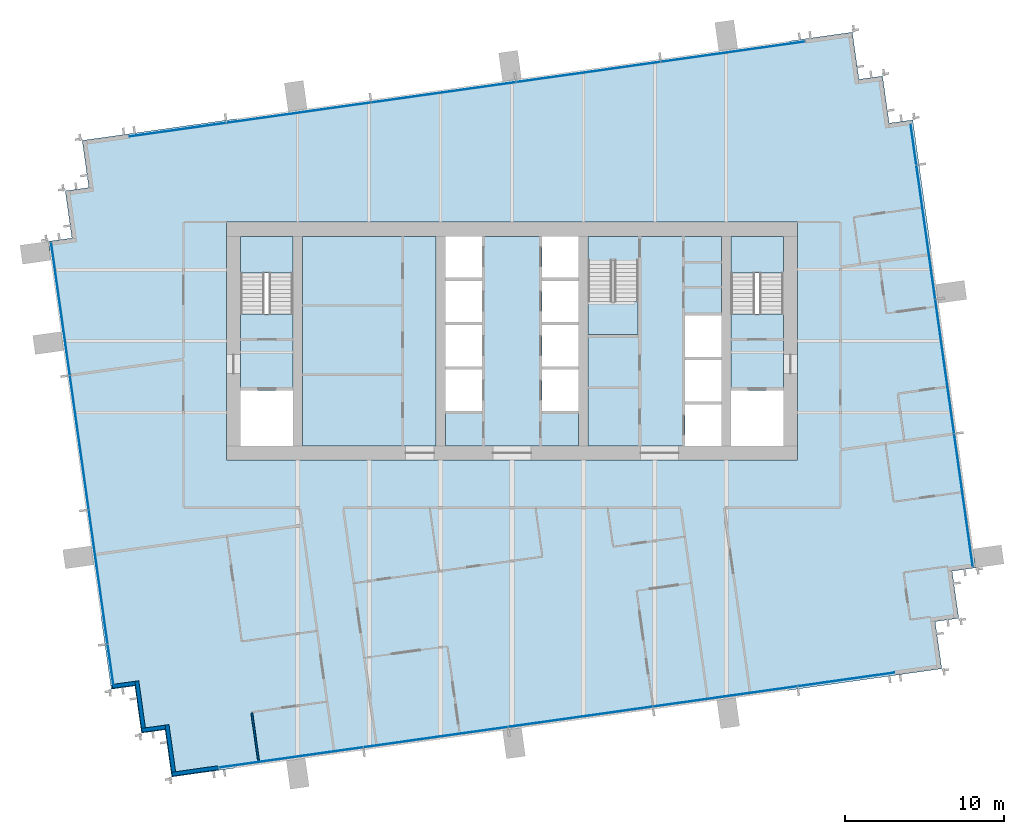
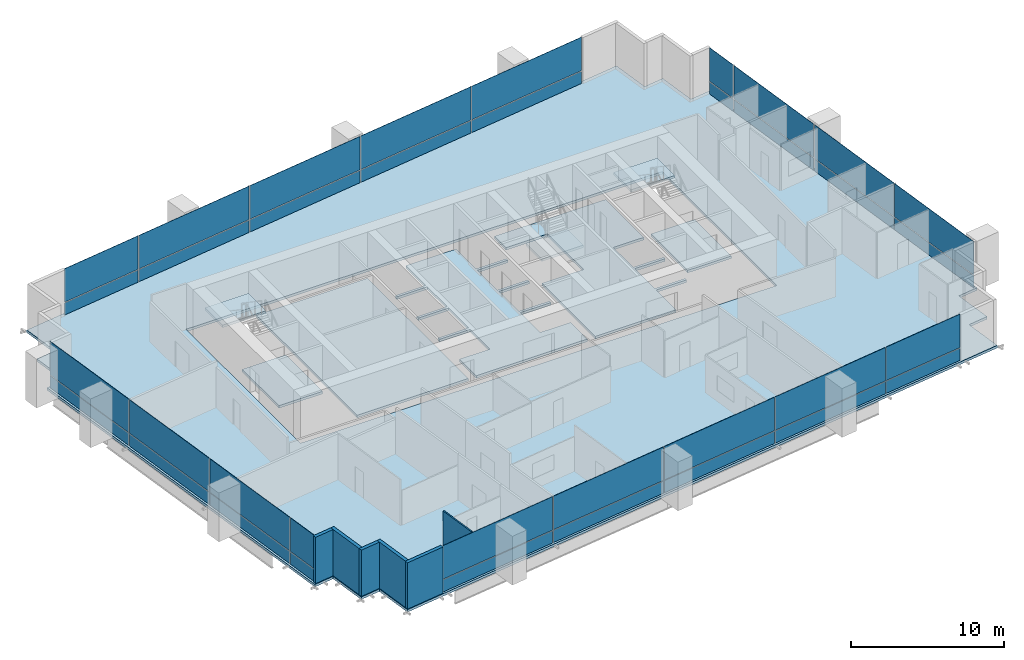
# One storey, part 8 of 14: 36 plates, 9 slabs, 6 walls, 7 elements without a shape of their own.
"""IFC4 building model written with IfcOpenShell, lengths in metres."""

from ifc_helpers import new_model, si_unit, direction, frame, frame_2d, origin, origin_2d, place, context, subcontext, project, spatial, polyline, rectangle, outline, extrude, material, layer, layer_set, type_object, element, aggregate, save


model = new_model("IFC4")

# Units and contexts
model_context = context("Model", 3, precision=1e-05, world=origin(), true_north=direction((0.0, 1.0)))
body_context = subcontext(model_context, "Body", "Model", "MODEL_VIEW")
ifc_project = project(units=[si_unit("LENGTHUNIT", "METRE"), si_unit("AREAUNIT", "SQUARE_METRE"), si_unit("VOLUMEUNIT", "CUBIC_METRE"), si_unit("PLANEANGLEUNIT", "RADIAN"), si_unit("MASSUNIT", "GRAM", prefix="KILO")], contexts=[model_context])

# Site, building, storey
site_placement = place(None, origin())
site = spatial("IfcSite", under=ifc_project, at=site_placement, CompositionType="ELEMENT")
building_placement = place(site_placement, origin())
building = spatial("IfcBuilding", under=site, at=building_placement, Name="Rattan Terrace Tower", CompositionType="ELEMENT")
storey_placement = place(building_placement, frame((0.0, 0.0, 184.10009765625)))
storey = spatial("IfcBuildingStorey", under=building, at=storey_placement, Name="L42", CompositionType="ELEMENT", Elevation=184.10009765625)

# Stair, slab
ifc_material_1 = material(Name="Concrete C40/50", Category="concrete")
stair_type = type_object("IfcStairType", Name="Core exit stair 1500", PredefinedType="HALF_TURN_STAIR", material=ifc_material_1)
stair_1_placement = place(storey_placement, origin())
stair_1 = element("IfcStair", 1, at=stair_1_placement, inside=storey, type_object=stair_type, Name="L42 exit stair 1", PredefinedType="HALF_TURN_STAIR")
ifc_material_2 = material(Name="Concrete C40/50", Category="concrete")
ifc_layer_1 = layer(ifc_material_2, 0.199951171875)
ifc_layer_set_1 = layer_set([ifc_layer_1], Name="Core exit stair landing")
slab_type_1 = type_object("IfcSlabType", Name="Core exit stair landing", PredefinedType="LANDING", material=ifc_layer_set_1)
slab_1_placement = place(storey_placement, frame((0.0, 0.0, 1.75)))
slab_1 = element("IfcSlab", 2, at=slab_1_placement, type_object=slab_type_1, Name="S1 landing 1", PredefinedType="LANDING", context=body_context, shape_type="SweptSolid", body=[
    extrude(outline(polyline([(-13.800048828125, 4.300048828125), (-13.800048828125, 6.60009765625), (-17.10009765625, 6.60009765625), (-17.10009765625, 4.300048828125), (-13.800048828125, 4.300048828125)])), origin(), (0.0, 0.0, 1.0), 0.199951171875),
])
aggregate(stair_1, [slab_1])

stair_2_placement = place(storey_placement, origin())
stair_2 = element("IfcStair", 3, at=stair_2_placement, inside=storey, type_object=stair_type, Name="L42 exit stair 2", PredefinedType="HALF_TURN_STAIR")
slab_2_placement = place(storey_placement, frame((0.0, 0.0, 1.75)))
slab_2 = element("IfcSlab", 4, at=slab_2_placement, type_object=slab_type_1, Name="S2 landing 1", PredefinedType="LANDING", context=body_context, shape_type="SweptSolid", body=[
    extrude(outline(polyline([(17.10009765625, 4.300048828125), (17.10009765625, 6.60009765625), (13.800048828125, 6.60009765625), (13.800048828125, 4.300048828125), (17.10009765625, 4.300048828125)])), origin(), (0.0, 0.0, 1.0), 0.199951171875),
])
aggregate(stair_2, [slab_2])

stair_3_placement = place(storey_placement, origin())
stair_3 = element("IfcStair", 5, at=stair_3_placement, inside=storey, type_object=stair_type, Name="L42 exit stair 3", PredefinedType="HALF_TURN_STAIR")
slab_3_placement = place(storey_placement, frame((0.0, 0.0, 1.75)))
slab_3 = element("IfcSlab", 6, at=slab_3_placement, type_object=slab_type_1, Name="S3 landing 1", PredefinedType="LANDING", context=body_context, shape_type="SweptSolid", body=[
    extrude(outline(polyline([(4.800048828125, 2.5), (4.800048828125, 0.39990234375), (7.949951171875, 0.39990234375), (7.949951171875, 2.5), (4.800048828125, 2.5)])), origin(), (0.0, 0.0, 1.0), 0.199951171875),
])
aggregate(stair_3, [slab_3])

# Curtain wall, plates
ifc_material_3 = material(Name="Aluminium and glass", Category="aluminium")
curtain_wall_type = type_object("IfcCurtainWallType", Name="Facade Unitised Curtain Wall", PredefinedType="NOTDEFINED", material=ifc_material_3)
curtain_wall_1_placement = place(storey_placement, origin())
curtain_wall_1 = element("IfcCurtainWall", 7, at=curtain_wall_1_placement, inside=storey, type_object=curtain_wall_type, Name="Curtain wall L42-1", PredefinedType="NOTDEFINED")
ifc_material_4 = material(Name="Aluminium insulated spandrel panel", Category="aluminium")
ifc_layer_2 = layer(ifc_material_4, 0.028076171875)
ifc_layer_set_2 = layer_set([ifc_layer_2], Name="Facade CW Spandrel Panel")
plate_type_1 = type_object("IfcPlateType", Name="Facade CW Spandrel Panel", PredefinedType="CURTAIN_PANEL", material=ifc_layer_set_2)
plate_1_placement = place(storey_placement, frame((28.447509765625, -10.037109375, 0.0), z_axis=(0.0, 0.0, 1.0), x_axis=(-0.139190856006, 0.99026557327, 0.0)))
plate_1 = element("IfcPlate", 8, at=plate_1_placement, type_object=plate_type_1, Name="Panel cwl-L42-001.1.1", PredefinedType="CURTAIN_PANEL", context=body_context, shape_type="SweptSolid", body=[
    extrude(rectangle(XDim=8.4150390625, YDim=0.028076171875, at=origin_2d()), origin(), (0.0, 0.0, 1.0), 0.969970703125),
])
plate_2_placement = place(storey_placement, frame((27.262451171875, -1.607421875, 0.0), z_axis=(0.0, 0.0, 1.0), x_axis=(-0.139190856006, 0.99026557327, 0.0)))
plate_2 = element("IfcPlate", 9, at=plate_2_placement, type_object=plate_type_1, Name="Panel cwl-L42-001.2.1", PredefinedType="CURTAIN_PANEL", context=body_context, shape_type="SweptSolid", body=[
    extrude(rectangle(XDim=8.489990234375, YDim=0.028076171875, at=origin_2d()), origin(), (0.0, 0.0, 1.0), 0.969970703125),
])
plate_3_placement = place(storey_placement, frame((26.072509765625, 6.859375, 0.0), z_axis=(0.0, 0.0, 1.0), x_axis=(-0.139190856006, 0.99026557327, 0.0)))
plate_3 = element("IfcPlate", 10, at=plate_3_placement, type_object=plate_type_1, Name="Panel cwl-L42-001.3.1", PredefinedType="CURTAIN_PANEL", context=body_context, shape_type="SweptSolid", body=[
    extrude(rectangle(XDim=8.489990234375, YDim=0.028076171875, at=origin_2d()), origin(), (0.0, 0.0, 1.0), 0.969970703125),
])
plate_4_placement = place(storey_placement, frame((25.29736328125, 12.372802734375, 0.0), z_axis=(0.0, 0.0, 1.0), x_axis=(-0.139190856006, 0.99026557327, 0.0)))
plate_4 = element("IfcPlate", 11, at=plate_4_placement, type_object=plate_type_1, Name="Panel cwl-L42-001.4.1", PredefinedType="CURTAIN_PANEL", context=body_context, shape_type="SweptSolid", body=[
    extrude(rectangle(XDim=2.525390625, YDim=0.028076171875, at=origin_2d()), origin(), (0.0, 0.0, 1.0), 0.969970703125),
])

curtain_wall_2_placement = place(storey_placement, origin())
curtain_wall_2 = element("IfcCurtainWall", 12, at=curtain_wall_2_placement, inside=storey, type_object=curtain_wall_type, Name="Curtain wall L42-2", PredefinedType="NOTDEFINED")
plate_5_placement = place(storey_placement, frame((13.920166015625, 18.233642578125, 0.0), z_axis=(0.0, 0.0, 1.0), x_axis=(-0.990269702686, -0.139161474347, 0.0)))
plate_5 = element("IfcPlate", 13, at=plate_5_placement, type_object=plate_type_1, Name="Panel cwl-L42-002.1.1", PredefinedType="CURTAIN_PANEL", context=body_context, shape_type="SweptSolid", body=[
    extrude(rectangle(XDim=9.123046875, YDim=0.028076171875, at=origin_2d()), origin(), (0.0, 0.0, 1.0), 0.969970703125),
])
plate_6_placement = place(storey_placement, frame((4.8115234375, 16.95361328125, 0.0), z_axis=(0.0, 0.0, 1.0), x_axis=(-0.990269702686, -0.139161474347, 0.0)))
plate_6 = element("IfcPlate", 14, at=plate_6_placement, type_object=plate_type_1, Name="Panel cwl-L42-002.2.1", PredefinedType="CURTAIN_PANEL", context=body_context, shape_type="SweptSolid", body=[
    extrude(rectangle(XDim=9.153076171875, YDim=0.028076171875, at=origin_2d()), origin(), (0.0, 0.0, 1.0), 0.969970703125),
])
plate_7_placement = place(storey_placement, frame((-4.311767578125, 15.67138671875, 0.0), z_axis=(0.0, 0.0, 1.0), x_axis=(-0.990269702686, -0.139161474347, 0.0)))
plate_7 = element("IfcPlate", 15, at=plate_7_placement, type_object=plate_type_1, Name="Panel cwl-L42-002.3.1", PredefinedType="CURTAIN_PANEL", context=body_context, shape_type="SweptSolid", body=[
    extrude(rectangle(XDim=9.153076171875, YDim=0.028076171875, at=origin_2d()), origin(), (0.0, 0.0, 1.0), 0.969970703125),
])
plate_8_placement = place(storey_placement, frame((-13.43505859375, 14.389404296875, 0.0), z_axis=(0.0, 0.0, 1.0), x_axis=(-0.990269702686, -0.139161474347, 0.0)))
plate_8 = element("IfcPlate", 16, at=plate_8_placement, type_object=plate_type_1, Name="Panel cwl-L42-002.4.1", PredefinedType="CURTAIN_PANEL", context=body_context, shape_type="SweptSolid", body=[
    extrude(rectangle(XDim=9.153076171875, YDim=0.028076171875, at=origin_2d()), origin(), (0.0, 0.0, 1.0), 0.969970703125),
])
plate_9_placement = place(storey_placement, frame((-21.055908203125, 13.318359375, 0.0), z_axis=(0.0, 0.0, 1.0), x_axis=(-0.990269702686, -0.139161474347, 0.0)))
plate_9 = element("IfcPlate", 17, at=plate_9_placement, type_object=plate_type_1, Name="Panel cwl-L42-002.5.1", PredefinedType="CURTAIN_PANEL", context=body_context, shape_type="SweptSolid", body=[
    extrude(rectangle(XDim=6.118408203125, YDim=0.028076171875, at=origin_2d()), origin(), (0.0, 0.0, 1.0), 0.969970703125),
])

curtain_wall_3_placement = place(storey_placement, origin())
curtain_wall_3 = element("IfcCurtainWall", 18, at=curtain_wall_3_placement, inside=storey, type_object=curtain_wall_type, Name="Curtain wall L42-3", PredefinedType="NOTDEFINED")
plate_10_placement = place(storey_placement, frame((-28.447509765625, 2.037109375, 0.0), z_axis=(0.0, 0.0, 1.0), x_axis=(0.139190856006, -0.99026557327, 0.0)))
plate_10 = element("IfcPlate", 19, at=plate_10_placement, type_object=plate_type_1, Name="Panel cwl-L42-003.1.1", PredefinedType="CURTAIN_PANEL", context=body_context, shape_type="SweptSolid", body=[
    extrude(rectangle(XDim=8.4150390625, YDim=0.028076171875, at=origin_2d()), origin(), (0.0, 0.0, 1.0), 0.969970703125),
])
plate_11_placement = place(storey_placement, frame((-27.262451171875, -6.392578125, 0.0), z_axis=(0.0, 0.0, 1.0), x_axis=(0.139190856006, -0.99026557327, 0.0)))
plate_11 = element("IfcPlate", 20, at=plate_11_placement, type_object=plate_type_1, Name="Panel cwl-L42-003.2.1", PredefinedType="CURTAIN_PANEL", context=body_context, shape_type="SweptSolid", body=[
    extrude(rectangle(XDim=8.489990234375, YDim=0.028076171875, at=origin_2d()), origin(), (0.0, 0.0, 1.0), 0.969970703125),
])
plate_12_placement = place(storey_placement, frame((-26.072509765625, -14.859375, 0.0), z_axis=(0.0, 0.0, 1.0), x_axis=(0.139190856006, -0.99026557327, 0.0)))
plate_12 = element("IfcPlate", 21, at=plate_12_placement, type_object=plate_type_1, Name="Panel cwl-L42-003.3.1", PredefinedType="CURTAIN_PANEL", context=body_context, shape_type="SweptSolid", body=[
    extrude(rectangle(XDim=8.489990234375, YDim=0.028076171875, at=origin_2d()), origin(), (0.0, 0.0, 1.0), 0.969970703125),
])
plate_13_placement = place(storey_placement, frame((-25.29736328125, -20.372802734375, 0.0), z_axis=(0.0, 0.0, 1.0), x_axis=(0.139190856006, -0.99026557327, 0.0)))
plate_13 = element("IfcPlate", 22, at=plate_13_placement, type_object=plate_type_1, Name="Panel cwl-L42-003.4.1", PredefinedType="CURTAIN_PANEL", context=body_context, shape_type="SweptSolid", body=[
    extrude(rectangle(XDim=2.525390625, YDim=0.028076171875, at=origin_2d()), origin(), (0.0, 0.0, 1.0), 0.969970703125),
])

curtain_wall_4_placement = place(storey_placement, origin())
curtain_wall_4 = element("IfcCurtainWall", 23, at=curtain_wall_4_placement, inside=storey, type_object=curtain_wall_type, Name="Curtain wall L42-4", PredefinedType="NOTDEFINED")
plate_14_placement = place(storey_placement, frame((-13.920166015625, -26.233642578125, 0.0), z_axis=(0.0, 0.0, 1.0), x_axis=(0.990269702686, 0.139161474347, 0.0)))
plate_14 = element("IfcPlate", 24, at=plate_14_placement, type_object=plate_type_1, Name="Panel cwl-L42-004.1.1", PredefinedType="CURTAIN_PANEL", context=body_context, shape_type="SweptSolid", body=[
    extrude(rectangle(XDim=9.123046875, YDim=0.028076171875, at=origin_2d()), origin(), (0.0, 0.0, 1.0), 0.969970703125),
])
plate_15_placement = place(storey_placement, frame((-4.8115234375, -24.95361328125, 0.0), z_axis=(0.0, 0.0, 1.0), x_axis=(0.990269702686, 0.139161474347, 0.0)))
plate_15 = element("IfcPlate", 25, at=plate_15_placement, type_object=plate_type_1, Name="Panel cwl-L42-004.2.1", PredefinedType="CURTAIN_PANEL", context=body_context, shape_type="SweptSolid", body=[
    extrude(rectangle(XDim=9.153076171875, YDim=0.028076171875, at=origin_2d()), origin(), (0.0, 0.0, 1.0), 0.969970703125),
])
plate_16_placement = place(storey_placement, frame((4.311767578125, -23.67138671875, 0.0), z_axis=(0.0, 0.0, 1.0), x_axis=(0.990269702686, 0.139161474347, 0.0)))
plate_16 = element("IfcPlate", 26, at=plate_16_placement, type_object=plate_type_1, Name="Panel cwl-L42-004.3.1", PredefinedType="CURTAIN_PANEL", context=body_context, shape_type="SweptSolid", body=[
    extrude(rectangle(XDim=9.153076171875, YDim=0.028076171875, at=origin_2d()), origin(), (0.0, 0.0, 1.0), 0.969970703125),
])
plate_17_placement = place(storey_placement, frame((13.43505859375, -22.389404296875, 0.0), z_axis=(0.0, 0.0, 1.0), x_axis=(0.990269702686, 0.139161474347, 0.0)))
plate_17 = element("IfcPlate", 27, at=plate_17_placement, type_object=plate_type_1, Name="Panel cwl-L42-004.4.1", PredefinedType="CURTAIN_PANEL", context=body_context, shape_type="SweptSolid", body=[
    extrude(rectangle(XDim=9.153076171875, YDim=0.028076171875, at=origin_2d()), origin(), (0.0, 0.0, 1.0), 0.969970703125),
])
plate_18_placement = place(storey_placement, frame((21.055908203125, -21.318359375, 0.0), z_axis=(0.0, 0.0, 1.0), x_axis=(0.990269702686, 0.139161474347, 0.0)))
plate_18 = element("IfcPlate", 28, at=plate_18_placement, type_object=plate_type_1, Name="Panel cwl-L42-004.5.1", PredefinedType="CURTAIN_PANEL", context=body_context, shape_type="SweptSolid", body=[
    extrude(rectangle(XDim=6.118408203125, YDim=0.028076171875, at=origin_2d()), origin(), (0.0, 0.0, 1.0), 0.969970703125),
])

# Plate
ifc_material_5 = material(Name="Clear low-iron glass", Category="glass")
ifc_layer_3 = layer(ifc_material_5, 0.028076171875)
ifc_layer_set_3 = layer_set([ifc_layer_3], Name="Facade CW Vision Panel")
plate_type_2 = type_object("IfcPlateType", Name="Facade CW Vision Panel", PredefinedType="CURTAIN_PANEL", material=ifc_layer_set_3)
plate_19_placement = place(storey_placement, frame((28.447509765625, -10.037109375, 1.030029296875), z_axis=(0.0, 0.0, 1.0), x_axis=(-0.139190856006, 0.99026557327, 0.0)))
plate_19 = element("IfcPlate", 29, at=plate_19_placement, type_object=plate_type_2, Name="Panel cwl-L42-001.1.2", PredefinedType="CURTAIN_PANEL", context=body_context, shape_type="SweptSolid", body=[
    extrude(rectangle(XDim=8.4150390625, YDim=0.028076171875, at=origin_2d()), origin(), (0.0, 0.0, 1.0), 2.669921875),
])

plate_20_placement = place(storey_placement, frame((27.262451171875, -1.607421875, 1.030029296875), z_axis=(0.0, 0.0, 1.0), x_axis=(-0.139190856006, 0.99026557327, 0.0)))
plate_20 = element("IfcPlate", 30, at=plate_20_placement, type_object=plate_type_2, Name="Panel cwl-L42-001.2.2", PredefinedType="CURTAIN_PANEL", context=body_context, shape_type="SweptSolid", body=[
    extrude(rectangle(XDim=8.489990234375, YDim=0.028076171875, at=origin_2d()), origin(), (0.0, 0.0, 1.0), 2.669921875),
])

plate_21_placement = place(storey_placement, frame((26.072509765625, 6.859375, 1.030029296875), z_axis=(0.0, 0.0, 1.0), x_axis=(-0.139190856006, 0.99026557327, 0.0)))
plate_21 = element("IfcPlate", 31, at=plate_21_placement, type_object=plate_type_2, Name="Panel cwl-L42-001.3.2", PredefinedType="CURTAIN_PANEL", context=body_context, shape_type="SweptSolid", body=[
    extrude(rectangle(XDim=8.489990234375, YDim=0.028076171875, at=origin_2d()), origin(), (0.0, 0.0, 1.0), 2.669921875),
])

plate_22_placement = place(storey_placement, frame((25.29736328125, 12.372802734375, 1.030029296875), z_axis=(0.0, 0.0, 1.0), x_axis=(-0.139190856006, 0.99026557327, 0.0)))
plate_22 = element("IfcPlate", 32, at=plate_22_placement, type_object=plate_type_2, Name="Panel cwl-L42-001.4.2", PredefinedType="CURTAIN_PANEL", context=body_context, shape_type="SweptSolid", body=[
    extrude(rectangle(XDim=2.525390625, YDim=0.028076171875, at=origin_2d()), origin(), (0.0, 0.0, 1.0), 2.669921875),
])

aggregate(curtain_wall_1, [plate_1, plate_19, plate_2, plate_20, plate_3, plate_21, plate_4, plate_22])

plate_23_placement = place(storey_placement, frame((13.920166015625, 18.233642578125, 1.030029296875), z_axis=(0.0, 0.0, 1.0), x_axis=(-0.990269702686, -0.139161474347, 0.0)))
plate_23 = element("IfcPlate", 33, at=plate_23_placement, type_object=plate_type_2, Name="Panel cwl-L42-002.1.2", PredefinedType="CURTAIN_PANEL", context=body_context, shape_type="SweptSolid", body=[
    extrude(rectangle(XDim=9.123046875, YDim=0.028076171875, at=origin_2d()), origin(), (0.0, 0.0, 1.0), 2.669921875),
])

plate_24_placement = place(storey_placement, frame((4.8115234375, 16.95361328125, 1.030029296875), z_axis=(0.0, 0.0, 1.0), x_axis=(-0.990269702686, -0.139161474347, 0.0)))
plate_24 = element("IfcPlate", 34, at=plate_24_placement, type_object=plate_type_2, Name="Panel cwl-L42-002.2.2", PredefinedType="CURTAIN_PANEL", context=body_context, shape_type="SweptSolid", body=[
    extrude(rectangle(XDim=9.153076171875, YDim=0.028076171875, at=origin_2d()), origin(), (0.0, 0.0, 1.0), 2.669921875),
])

plate_25_placement = place(storey_placement, frame((-4.311767578125, 15.67138671875, 1.030029296875), z_axis=(0.0, 0.0, 1.0), x_axis=(-0.990269702686, -0.139161474347, 0.0)))
plate_25 = element("IfcPlate", 35, at=plate_25_placement, type_object=plate_type_2, Name="Panel cwl-L42-002.3.2", PredefinedType="CURTAIN_PANEL", context=body_context, shape_type="SweptSolid", body=[
    extrude(rectangle(XDim=9.153076171875, YDim=0.028076171875, at=origin_2d()), origin(), (0.0, 0.0, 1.0), 2.669921875),
])

plate_26_placement = place(storey_placement, frame((-13.43505859375, 14.389404296875, 1.030029296875), z_axis=(0.0, 0.0, 1.0), x_axis=(-0.990269702686, -0.139161474347, 0.0)))
plate_26 = element("IfcPlate", 36, at=plate_26_placement, type_object=plate_type_2, Name="Panel cwl-L42-002.4.2", PredefinedType="CURTAIN_PANEL", context=body_context, shape_type="SweptSolid", body=[
    extrude(rectangle(XDim=9.153076171875, YDim=0.028076171875, at=origin_2d()), origin(), (0.0, 0.0, 1.0), 2.669921875),
])

plate_27_placement = place(storey_placement, frame((-21.055908203125, 13.318359375, 1.030029296875), z_axis=(0.0, 0.0, 1.0), x_axis=(-0.990269702686, -0.139161474347, 0.0)))
plate_27 = element("IfcPlate", 37, at=plate_27_placement, type_object=plate_type_2, Name="Panel cwl-L42-002.5.2", PredefinedType="CURTAIN_PANEL", context=body_context, shape_type="SweptSolid", body=[
    extrude(rectangle(XDim=6.118408203125, YDim=0.028076171875, at=origin_2d()), origin(), (0.0, 0.0, 1.0), 2.669921875),
])

aggregate(curtain_wall_2, [plate_5, plate_23, plate_6, plate_24, plate_7, plate_25, plate_8, plate_26, plate_9, plate_27])

plate_28_placement = place(storey_placement, frame((-28.447509765625, 2.037109375, 1.030029296875), z_axis=(0.0, 0.0, 1.0), x_axis=(0.139190856006, -0.99026557327, 0.0)))
plate_28 = element("IfcPlate", 38, at=plate_28_placement, type_object=plate_type_2, Name="Panel cwl-L42-003.1.2", PredefinedType="CURTAIN_PANEL", context=body_context, shape_type="SweptSolid", body=[
    extrude(rectangle(XDim=8.4150390625, YDim=0.028076171875, at=origin_2d()), origin(), (0.0, 0.0, 1.0), 2.669921875),
])

plate_29_placement = place(storey_placement, frame((-27.262451171875, -6.392578125, 1.030029296875), z_axis=(0.0, 0.0, 1.0), x_axis=(0.139190856006, -0.99026557327, 0.0)))
plate_29 = element("IfcPlate", 39, at=plate_29_placement, type_object=plate_type_2, Name="Panel cwl-L42-003.2.2", PredefinedType="CURTAIN_PANEL", context=body_context, shape_type="SweptSolid", body=[
    extrude(rectangle(XDim=8.489990234375, YDim=0.028076171875, at=origin_2d()), origin(), (0.0, 0.0, 1.0), 2.669921875),
])

plate_30_placement = place(storey_placement, frame((-26.072509765625, -14.859375, 1.030029296875), z_axis=(0.0, 0.0, 1.0), x_axis=(0.139190856006, -0.99026557327, 0.0)))
plate_30 = element("IfcPlate", 40, at=plate_30_placement, type_object=plate_type_2, Name="Panel cwl-L42-003.3.2", PredefinedType="CURTAIN_PANEL", context=body_context, shape_type="SweptSolid", body=[
    extrude(rectangle(XDim=8.489990234375, YDim=0.028076171875, at=origin_2d()), origin(), (0.0, 0.0, 1.0), 2.669921875),
])

plate_31_placement = place(storey_placement, frame((-25.29736328125, -20.372802734375, 1.030029296875), z_axis=(0.0, 0.0, 1.0), x_axis=(0.139190856006, -0.99026557327, 0.0)))
plate_31 = element("IfcPlate", 41, at=plate_31_placement, type_object=plate_type_2, Name="Panel cwl-L42-003.4.2", PredefinedType="CURTAIN_PANEL", context=body_context, shape_type="SweptSolid", body=[
    extrude(rectangle(XDim=2.525390625, YDim=0.028076171875, at=origin_2d()), origin(), (0.0, 0.0, 1.0), 2.669921875),
])

aggregate(curtain_wall_3, [plate_10, plate_28, plate_11, plate_29, plate_12, plate_30, plate_13, plate_31])

plate_32_placement = place(storey_placement, frame((-13.920166015625, -26.233642578125, 1.030029296875), z_axis=(0.0, 0.0, 1.0), x_axis=(0.990269702686, 0.139161474347, 0.0)))
plate_32 = element("IfcPlate", 42, at=plate_32_placement, type_object=plate_type_2, Name="Panel cwl-L42-004.1.2", PredefinedType="CURTAIN_PANEL", context=body_context, shape_type="SweptSolid", body=[
    extrude(rectangle(XDim=9.123046875, YDim=0.028076171875, at=origin_2d()), origin(), (0.0, 0.0, 1.0), 2.669921875),
])

plate_33_placement = place(storey_placement, frame((-4.8115234375, -24.95361328125, 1.030029296875), z_axis=(0.0, 0.0, 1.0), x_axis=(0.990269702686, 0.139161474347, 0.0)))
plate_33 = element("IfcPlate", 43, at=plate_33_placement, type_object=plate_type_2, Name="Panel cwl-L42-004.2.2", PredefinedType="CURTAIN_PANEL", context=body_context, shape_type="SweptSolid", body=[
    extrude(rectangle(XDim=9.153076171875, YDim=0.028076171875, at=origin_2d()), origin(), (0.0, 0.0, 1.0), 2.669921875),
])

plate_34_placement = place(storey_placement, frame((4.311767578125, -23.67138671875, 1.030029296875), z_axis=(0.0, 0.0, 1.0), x_axis=(0.990269702686, 0.139161474347, 0.0)))
plate_34 = element("IfcPlate", 44, at=plate_34_placement, type_object=plate_type_2, Name="Panel cwl-L42-004.3.2", PredefinedType="CURTAIN_PANEL", context=body_context, shape_type="SweptSolid", body=[
    extrude(rectangle(XDim=9.153076171875, YDim=0.028076171875, at=origin_2d()), origin(), (0.0, 0.0, 1.0), 2.669921875),
])

plate_35_placement = place(storey_placement, frame((13.43505859375, -22.389404296875, 1.030029296875), z_axis=(0.0, 0.0, 1.0), x_axis=(0.990269702686, 0.139161474347, 0.0)))
plate_35 = element("IfcPlate", 45, at=plate_35_placement, type_object=plate_type_2, Name="Panel cwl-L42-004.4.2", PredefinedType="CURTAIN_PANEL", context=body_context, shape_type="SweptSolid", body=[
    extrude(rectangle(XDim=9.153076171875, YDim=0.028076171875, at=origin_2d()), origin(), (0.0, 0.0, 1.0), 2.669921875),
])

plate_36_placement = place(storey_placement, frame((21.055908203125, -21.318359375, 1.030029296875), z_axis=(0.0, 0.0, 1.0), x_axis=(0.990269702686, 0.139161474347, 0.0)))
plate_36 = element("IfcPlate", 46, at=plate_36_placement, type_object=plate_type_2, Name="Panel cwl-L42-004.5.2", PredefinedType="CURTAIN_PANEL", context=body_context, shape_type="SweptSolid", body=[
    extrude(rectangle(XDim=6.118408203125, YDim=0.028076171875, at=origin_2d()), origin(), (0.0, 0.0, 1.0), 2.669921875),
])

aggregate(curtain_wall_4, [plate_14, plate_32, plate_15, plate_33, plate_16, plate_34, plate_17, plate_35, plate_18, plate_36])

# Slabs
ifc_material_6 = material(Name="Concrete C35/45", Category="concrete")
ifc_layer_4 = layer(ifc_material_6, 0.199951171875)
ifc_layer_set_4 = layer_set([ifc_layer_4], Name="Frame composite floor slab 200")
slab_type_2 = type_object("IfcSlabType", Name="Frame composite floor slab 200", PredefinedType="FLOOR", material=ifc_layer_set_4)
slab_4_placement = place(storey_placement, frame((0.0, 0.0, -0.2001953125)))
element("IfcSlab", 47, at=slab_4_placement, inside=storey, type_object=slab_type_2, Name="Floor slab", PredefinedType="FLOOR", context=body_context, shape_type="SweptSolid", body=[
    extrude(outline(polyline([(-18.472900390625, -27.044921875), (24.10888671875, -21.06103515625), (27.080078125, -20.64306640625), (26.662109375, -17.672119140625), (28.14794921875, -17.464111328125), (27.72998046875, -14.492919921875), (29.216064453125, -14.283935546875), (25.2490234375, 13.93896484375), (23.763916015625, 13.72998046875), (23.345947265625, 16.700927734375), (21.861083984375, 16.491943359375), (21.443115234375, 19.462890625), (18.472900390625, 19.044921875), (-24.10888671875, 13.06103515625), (-27.080078125, 12.64306640625), (-26.662109375, 9.672119140625), (-28.14794921875, 9.464111328125), (-27.72998046875, 6.492919921875), (-29.216064453125, 6.283935546875), (-25.2490234375, -21.93896484375), (-23.763916015625, -21.72998046875), (-23.345947265625, -24.700927734375), (-21.861083984375, -24.491943359375), (-21.443115234375, -27.462890625), (-18.472900390625, -27.044921875)]), holes=[polyline([(-18.0, -7.5), (18.0, -7.5), (18.0, -6.60009765625), (18.0, 6.60009765625), (18.0, 7.5), (-18.0, 7.5), (-18.0, 6.60009765625), (-18.0, -6.60009765625), (-18.0, -7.5)])]), origin(), (0.0, 0.0, 1.0), 0.2001953125),
])
slab_5_placement = place(storey_placement, frame((0.0, 0.0, -0.2001953125)))
element("IfcSlab", 48, at=slab_5_placement, inside=storey, type_object=slab_type_2, Name="Floor slab", PredefinedType="FLOOR", context=body_context, shape_type="SweptSolid", body=[
    extrude(outline(polyline([(13.199951171875, 6.60009765625), (4.800048828125, 6.60009765625), (4.800048828125, 5.090087890625), (7.949951171875, 5.090087890625), (7.949951171875, 0.39990234375), (4.800048828125, 0.39990234375), (4.800048828125, -6.60009765625), (10.89990234375, -6.60009765625), (10.89990234375, -4.0), (13.199951171875, -4.0), (13.199951171875, -3.800048828125), (10.89990234375, -3.800048828125), (10.89990234375, -1.199951171875), (13.199951171875, -1.199951171875), (13.199951171875, -1.0), (10.89990234375, -1.0), (10.89990234375, 1.60009765625), (13.199951171875, 1.60009765625), (13.199951171875, 6.60009765625)])), origin(), (0.0, 0.0, 1.0), 0.2001953125),
])
slab_6_placement = place(storey_placement, frame((0.0, 0.0, -0.2001953125)))
element("IfcSlab", 49, at=slab_6_placement, inside=storey, type_object=slab_type_2, Name="Floor slab", PredefinedType="FLOOR", context=body_context, shape_type="SweptSolid", body=[
    extrude(outline(polyline([(1.89990234375, 6.60009765625), (-1.89990234375, 6.60009765625), (-1.89990234375, 4.0), (-4.199951171875, 4.0), (-4.199951171875, 3.800048828125), (-1.89990234375, 3.800048828125), (-1.89990234375, 1.199951171875), (-4.199951171875, 1.199951171875), (-4.199951171875, 1.0), (-1.89990234375, 1.0), (-1.89990234375, -1.60009765625), (-4.199951171875, -1.60009765625), (-4.199951171875, -1.800048828125), (-1.89990234375, -1.800048828125), (-1.89990234375, -4.39990234375), (-4.199951171875, -4.39990234375), (-4.199951171875, -6.60009765625), (4.199951171875, -6.60009765625), (4.199951171875, -4.39990234375), (1.89990234375, -4.39990234375), (1.89990234375, -1.800048828125), (4.199951171875, -1.800048828125), (4.199951171875, -1.60009765625), (1.89990234375, -1.60009765625), (1.89990234375, 1.0), (4.199951171875, 1.0), (4.199951171875, 1.199951171875), (1.89990234375, 1.199951171875), (1.89990234375, 3.800048828125), (4.199951171875, 3.800048828125), (4.199951171875, 4.0), (1.89990234375, 4.0), (1.89990234375, 6.60009765625)])), origin(), (0.0, 0.0, 1.0), 0.2001953125),
])
slab_7_placement = place(storey_placement, frame((0.0, 0.0, -0.2001953125)))
element("IfcSlab", 50, at=slab_7_placement, inside=storey, type_object=slab_type_2, Name="Floor slab", PredefinedType="FLOOR", context=body_context, shape_type="SweptSolid", body=[
    extrude(outline(polyline([(-17.10009765625, -3.10009765625), (-13.800048828125, -3.10009765625), (-13.800048828125, 1.7099609375), (-17.10009765625, 1.7099609375), (-17.10009765625, -3.10009765625)])), origin(), (0.0, 0.0, 1.0), 0.2001953125),
])
slab_8_placement = place(storey_placement, frame((0.0, 0.0, -0.2001953125)))
element("IfcSlab", 51, at=slab_8_placement, inside=storey, type_object=slab_type_2, Name="Floor slab", PredefinedType="FLOOR", context=body_context, shape_type="SweptSolid", body=[
    extrude(outline(polyline([(-4.800048828125, -6.60009765625), (-4.800048828125, 6.60009765625), (-13.199951171875, 6.60009765625), (-13.199951171875, -6.60009765625), (-4.800048828125, -6.60009765625)])), origin(), (0.0, 0.0, 1.0), 0.2001953125),
])
slab_9_placement = place(storey_placement, frame((0.0, 0.0, -0.2001953125)))
element("IfcSlab", 52, at=slab_9_placement, inside=storey, type_object=slab_type_2, Name="Floor slab", PredefinedType="FLOOR", context=body_context, shape_type="SweptSolid", body=[
    extrude(outline(polyline([(13.800048828125, -3.10009765625), (17.10009765625, -3.10009765625), (17.10009765625, 1.7099609375), (13.800048828125, 1.7099609375), (13.800048828125, -3.10009765625)])), origin(), (0.0, 0.0, 1.0), 0.2001953125),
])

# Walls
ifc_material_7 = material(Name="Insulated aluminium-clad stud wall", Category="aluminium")
ifc_layer_5 = layer(ifc_material_7, 0.25)
ifc_layer_set_5 = layer_set([ifc_layer_5], Name="Facade Riser Wall 250")
wall_type_1 = type_object("IfcWallType", Name="Facade Riser Wall 250", PredefinedType="SOLIDWALL", material=ifc_layer_set_5)
wall_1_placement = place(storey_placement, frame((-25.18359375, -21.758056640625, 0.0), z_axis=(0.0, 0.0, 1.0), x_axis=(0.9902493448, 0.13930626376, 0.0)))
element("IfcWall", 53, at=wall_1_placement, inside=storey, type_object=wall_type_1, Name="Riser wall L42-16", PredefinedType="SOLIDWALL", context=body_context, shape_type="SweptSolid", body=[
    extrude(rectangle(XDim=1.45458984375, YDim=0.25, at=frame_2d((0.727294921875, 0.0))), origin(), (0.0, 0.0, 1.0), 3.699951171875),
])
wall_2_placement = place(storey_placement, frame((-23.63671875, -21.414306640625, 0.0), z_axis=(0.0, 0.0, 1.0), x_axis=(0.139313431826, -0.990248336385, 0.0)))
element("IfcWall", 54, at=wall_2_placement, inside=storey, type_object=wall_type_1, Name="Riser wall L42-17", PredefinedType="SOLIDWALL", context=body_context, shape_type="SweptSolid", body=[
    extrude(rectangle(XDim=3.000244140625, YDim=0.25, at=frame_2d((1.5, 0.0))), origin(), (0.0, 0.0, 1.0), 3.699951171875),
])
wall_3_placement = place(storey_placement, frame((-23.3251953125, -24.5263671875, 0.0), z_axis=(0.0, 0.0, 1.0), x_axis=(0.990243596651, 0.13934711799, 0.0)))
element("IfcWall", 55, at=wall_3_placement, inside=storey, type_object=wall_type_1, Name="Riser wall L42-18", PredefinedType="SOLIDWALL", context=body_context, shape_type="SweptSolid", body=[
    extrude(rectangle(XDim=1.499755859375, YDim=0.25, at=frame_2d((0.75, 0.0))), origin(), (0.0, 0.0, 1.0), 3.699951171875),
])
wall_4_placement = place(storey_placement, frame((-21.733642578125, -24.17626953125, 0.0), z_axis=(0.0, 0.0, 1.0), x_axis=(0.139313431826, -0.990248336385, 0.0)))
element("IfcWall", 56, at=wall_4_placement, inside=storey, type_object=wall_type_1, Name="Riser wall L42-19", PredefinedType="SOLIDWALL", context=body_context, shape_type="SweptSolid", body=[
    extrude(rectangle(XDim=3.000244140625, YDim=0.25, at=frame_2d((1.5, 0.0))), origin(), (0.0, 0.0, 1.0), 3.699951171875),
])
wall_5_placement = place(storey_placement, frame((-21.422119140625, -27.288330078125, 0.0), z_axis=(0.0, 0.0, 1.0), x_axis=(0.990246427036, 0.139327002919, 0.0)))
element("IfcWall", 57, at=wall_5_placement, inside=storey, type_object=wall_type_1, Name="Riser wall L42-20", PredefinedType="SOLIDWALL", context=body_context, shape_type="SweptSolid", body=[
    extrude(rectangle(XDim=2.954345703125, YDim=0.25, at=frame_2d((1.47705078125, 0.0))), origin(), (0.0, 0.0, 1.0), 3.699951171875),
])
ifc_material_8 = material(Name="Gypsum board partition on steel studs", Category="steel")
ifc_layer_6 = layer(ifc_material_8, 0.10009765625)
ifc_layer_set_6 = layer_set([ifc_layer_6], Name="Floors Partition 100")
wall_type_2 = type_object("IfcWallType", Name="Floors Partition 100", PredefinedType="PARTITIONING", material=ifc_layer_set_6)
wall_6_placement = place(storey_placement, frame((-16.39404296875, -23.430908203125, 0.0), z_axis=(0.0, 0.0, 1.0), x_axis=(0.139333854614, -0.990245462983, 0.0)))
element("IfcWall", 58, at=wall_6_placement, inside=storey, type_object=wall_type_2, Name="pt-L42-025", PredefinedType="PARTITIONING", context=body_context, shape_type="SweptSolid", body=[
    extrude(rectangle(XDim=3.029541015625, YDim=0.10009765625, at=frame_2d((1.5146484375, 0.0))), origin(), (0.0, 0.0, 1.0), 3.699951171875),
])

save(model, "model.ifc")
